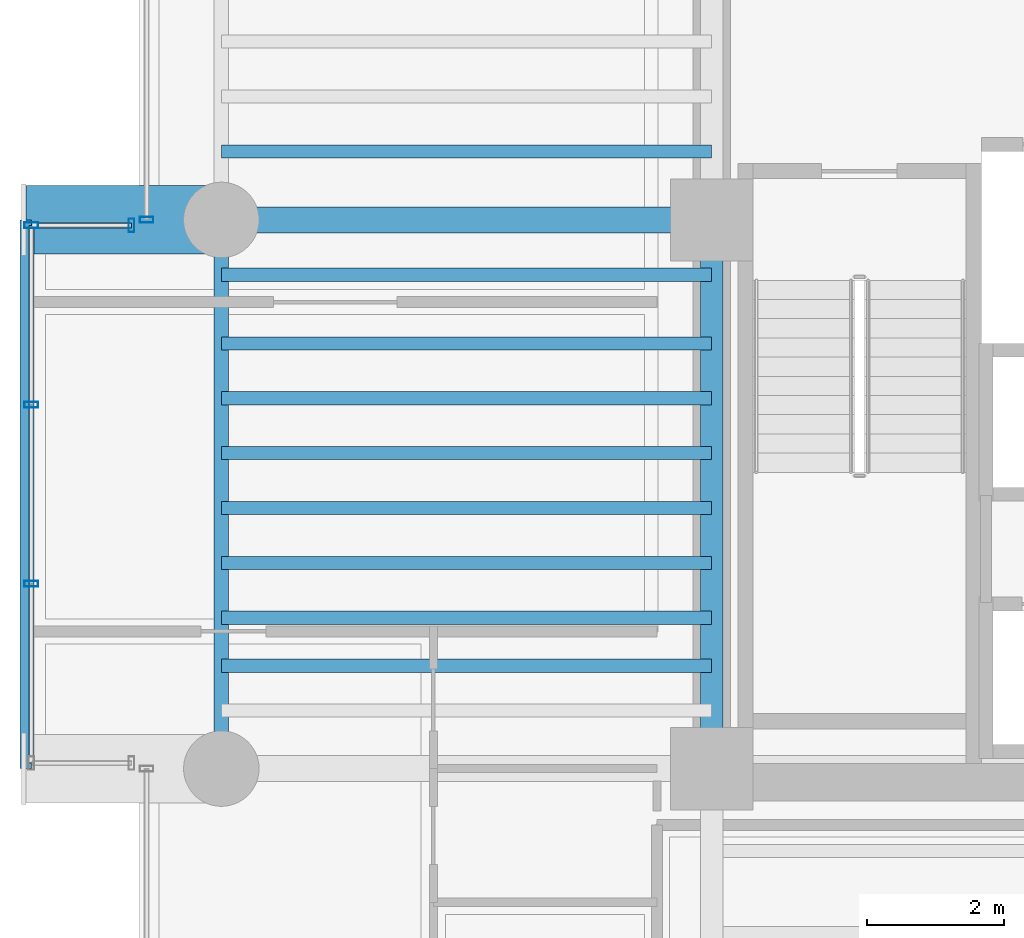
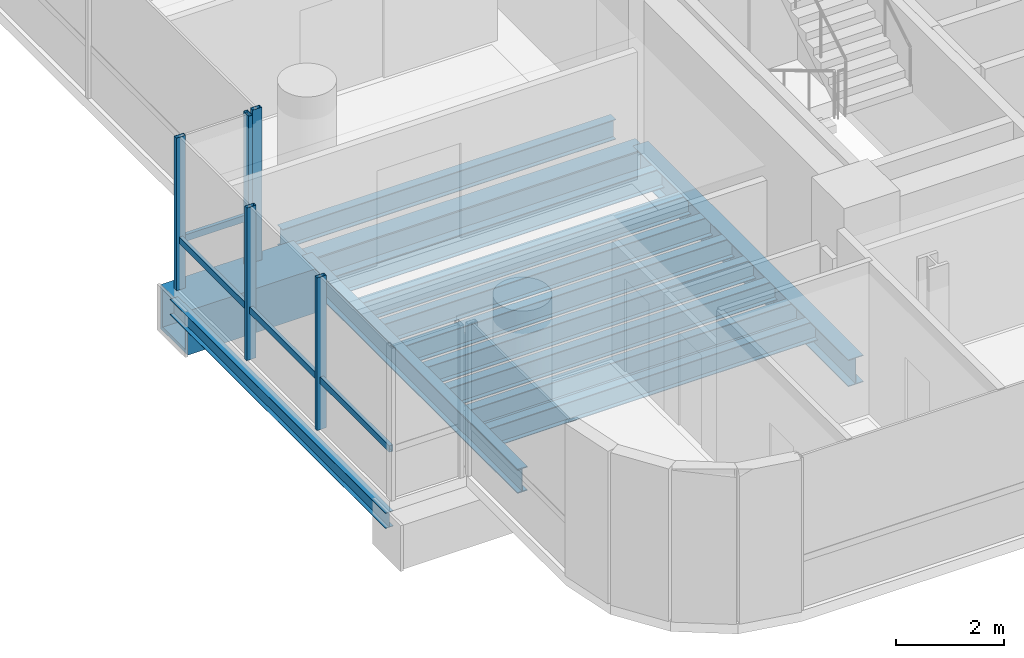
# One storey, part 4 of 34: 14 beams, 7 members, 3 elements without a shape of their own.
"""IFC4 building model written with IfcOpenShell, lengths in metres."""

import ifcopenshell
import ifcopenshell.guid

model = None  # the IFC model being written
_history = None  # IfcOwnerHistory: only IFC2X3 demands one
_inside = {}  # id of a spatial element -> (the spatial element, [elements in it])
_under = {}  # id of a project, library or spatial element -> (it, [spatial elements below it])
_declared = {}  # id of a project -> (the project, [libraries it declares])
_typed = {}  # id of a type object -> (the type object, [elements of that type])
_made_of = {}  # id of a material, layer set ... -> (it, [elements and type objects made of it])


def new_model(schema):
    """Start an empty IFC model of exactly this schema.

    Asked for "IFC4X3", IfcOpenShell would pick the latest addendum, in which some entities
    have other attributes; the version numbers below select the first issue.
    IFC2X3 requires an IfcOwnerHistory on every rooted entity: one is made here for all.
    """
    global model, _history
    if schema == "IFC4X3":
        model = ifcopenshell.file(schema_version=(4, 3, 0, 0))
    else:
        model = ifcopenshell.file(schema=schema)
    _inside.clear()
    _under.clear()
    _declared.clear()
    _typed.clear()
    _made_of.clear()
    _history = None
    if model.schema == "IFC2X3":
        org = make("IfcOrganization", Name="unknown")
        user = make(
            "IfcPersonAndOrganization",
            ThePerson=make("IfcPerson", FamilyName="unknown"),
            TheOrganization=org,
        )
        app = make(
            "IfcApplication",
            ApplicationDeveloper=org,
            Version="unknown",
            ApplicationFullName="unknown",
            ApplicationIdentifier="unknown",
        )
        _history = make(
            "IfcOwnerHistory",
            OwningUser=user,
            OwningApplication=app,
            ChangeAction="ADDED",
            CreationDate=0,
        )
    return model


def make(cls, **values):
    """One entity of the class cls with the attributes given. An attribute that is None is left unset."""
    return model.create_entity(
        cls, **{name: value for name, value in values.items() if value is not None}
    )


def rooted(cls, **values):
    """An entity with a GlobalId (a new one), such as an element, a storey or a relation."""
    return make(cls, GlobalId=ifcopenshell.guid.new(), OwnerHistory=_history, **values)


def si_unit(unit_type, name, prefix=None):
    """IfcSIUnit, for example si_unit("LENGTHUNIT", "METRE", prefix="MILLI")."""
    return make("IfcSIUnit", UnitType=unit_type, Prefix=prefix, Name=name)


def assignment(units):
    """IfcUnitAssignment: the units of a project."""
    return None if units is None else make("IfcUnitAssignment", Units=units)


def point(xyz):
    """IfcCartesianPoint."""
    return None if xyz is None else make("IfcCartesianPoint", Coordinates=xyz)


def direction(xyz):
    """IfcDirection."""
    return None if xyz is None else make("IfcDirection", DirectionRatios=xyz)


def frame(location, z_axis=None, x_axis=None):
    """IfcAxis2Placement3D, a coordinate frame: its origin and axes. An axis left out is left unset."""
    return make(
        "IfcAxis2Placement3D",
        Location=point(location),
        Axis=direction(z_axis),
        RefDirection=direction(x_axis),
    )


def frame_2d(location, x_axis=None):
    """IfcAxis2Placement2D, a coordinate frame in the plane: its origin and x axis."""
    return make(
        "IfcAxis2Placement2D", Location=point(location), RefDirection=direction(x_axis)
    )


def origin():
    """The frame at (0, 0, 0) with its axes left unset."""
    return frame((0.0, 0.0, 0.0))


def origin_2d():
    """The frame at (0, 0) in the plane with its x axis left unset."""
    return frame_2d((0.0, 0.0))


def place(relative_to, where):
    """IfcLocalPlacement: puts the frame where relative to a parent placement (None: the world)."""
    return make(
        "IfcLocalPlacement", PlacementRelTo=relative_to, RelativePlacement=where
    )


def context(
    kind, dimensions, precision=None, world=None, true_north=None, identifier=None
):
    """IfcGeometricRepresentationContext, for example the 3D "Model" context."""
    return make(
        "IfcGeometricRepresentationContext",
        ContextIdentifier=identifier,
        ContextType=kind,
        CoordinateSpaceDimension=dimensions,
        Precision=precision,
        WorldCoordinateSystem=world,
        TrueNorth=true_north,
    )


def subcontext(parent, identifier, kind, view, scale=None):
    """IfcGeometricRepresentationSubContext, for example "Body" below "Model"."""
    return make(
        "IfcGeometricRepresentationSubContext",
        ContextIdentifier=identifier,
        ContextType=kind,
        ParentContext=parent,
        TargetScale=scale,
        TargetView=view,
    )


def project(units=None, contexts=None):
    """IfcProject with its units and contexts."""
    return rooted(
        "IfcProject",
        Name="project",
        RepresentationContexts=contexts,
        UnitsInContext=assignment(units),
    )


def spatial(cls, under=None, at=None, **own):
    """A site, building, storey or space (cls), placed at a placement, below another one or the project."""
    s = rooted(cls, ObjectPlacement=at, **own)
    if under is not None:
        _under.setdefault(under.id(), (under, []))[1].append(s)
    return s


def profile(cls, at=None, kind="AREA", **sizes):
    """A parametric profile (cls). Its sizes go by their IFC names, for example OverallWidth=200.0."""
    return make(cls, ProfileType=kind, Position=at, **sizes)


def hollow_rectangle(**sizes):
    """IfcRectangleHollowProfileDef."""
    return profile("IfcRectangleHollowProfileDef", **sizes)


def i_section(**sizes):
    """IfcIShapeProfileDef."""
    return profile("IfcIShapeProfileDef", **sizes)


def extrude(swept, where, along, depth):
    """IfcExtrudedAreaSolid: the profile swept, set in the frame where, extruded along a direction by depth."""
    return make(
        "IfcExtrudedAreaSolid",
        SweptArea=swept,
        Position=where,
        ExtrudedDirection=direction(along),
        Depth=depth,
    )


def shape(context_of_items, identifier, shape_type, items):
    """IfcShapeRepresentation: the items that make up one representation, for example the "Body"."""
    return make(
        "IfcShapeRepresentation",
        ContextOfItems=context_of_items,
        RepresentationIdentifier=identifier,
        RepresentationType=shape_type,
        Items=items,
    )


def source(mapping_origin, context_of_items, identifier, shape_type, items):
    """IfcRepresentationMap: a shape defined once, which mapped items show again and again."""
    return make(
        "IfcRepresentationMap",
        MappingOrigin=mapping_origin,
        MappedRepresentation=shape(context_of_items, identifier, shape_type, items),
    )


def transform(
    local_origin,
    x_axis=None,
    y_axis=None,
    z_axis=None,
    scale=None,
    scale2=None,
    scale3=None,
    uniform=True,
):
    """IfcCartesianTransformationOperator3D, or its non-uniform kind. x_axis, y_axis, z_axis: its Axis1, 2, 3."""
    if uniform:
        return make(
            "IfcCartesianTransformationOperator3D",
            Axis1=direction(x_axis),
            Axis2=direction(y_axis),
            LocalOrigin=point(local_origin),
            Scale=scale,
            Axis3=direction(z_axis),
        )
    return make(
        "IfcCartesianTransformationOperator3DnonUniform",
        Axis1=direction(x_axis),
        Axis2=direction(y_axis),
        LocalOrigin=point(local_origin),
        Scale=scale,
        Axis3=direction(z_axis),
        Scale2=scale2,
        Scale3=scale3,
    )


def mapped(mapping_source, mapping_target):
    """IfcMappedItem: shows the shape of a source again, moved by a transform."""
    return make(
        "IfcMappedItem", MappingSource=mapping_source, MappingTarget=mapping_target
    )


def material(Name=None, Category=None):
    """IfcMaterial."""
    return make("IfcMaterial", Name=Name, Category=Category)


def material_profile(
    of_material, cross_section, Name=None, Category=None, Priority=None
):
    """IfcMaterialProfile: a cross section and its material."""
    return make(
        "IfcMaterialProfile",
        Name=Name,
        Material=of_material,
        Profile=cross_section,
        Priority=Priority,
        Category=Category,
    )


def profile_set(profiles, Name=None, composite=None):
    """IfcMaterialProfileSet."""
    return make(
        "IfcMaterialProfileSet",
        Name=Name,
        MaterialProfiles=profiles,
        CompositeProfile=composite,
    )


def made_of(thing, what):
    """Note that an element or type object is made of a material, layer set ...; save() writes the relation."""
    if what is not None:
        _made_of.setdefault(what.id(), (what, []))[1].append(thing)
    return thing


def type_object(cls, material=None, **own):
    """A type object (cls), such as IfcWallType, which elements share."""
    return made_of(rooted(cls, **own), material)


def element(
    cls,
    number,
    at=None,
    inside=None,
    cuts=None,
    type_object=None,
    material=None,
    context=None,
    identifier="Body",
    shape_type=None,
    held_by="IfcProductDefinitionShape",
    body=None,
    shapes=None,
    **own,
):
    """One element of the class cls, such as IfcWall. Its Tag is "e" and its number.

    at: its placement. inside: the storey or other place that contains it. cuts: it is an
    opening in that element (IfcRelVoidsElement). A single representation is given by context,
    identifier, shape_type and body (its items); several are given by shapes. held_by: the class
    of the entity that holds the representations. save() writes the other relations.
    """
    e = rooted(cls, Tag="e%d" % number, ObjectPlacement=at, **own)
    if body is not None:
        shapes = [shape(context, identifier, shape_type, body)]
    if shapes is not None:
        e.Representation = make(held_by, Representations=shapes)
    if inside is not None:
        _inside.setdefault(inside.id(), (inside, []))[1].append(e)
    if cuts is not None:
        rooted(
            "IfcRelVoidsElement", RelatingBuildingElement=cuts, RelatedOpeningElement=e
        )
    if type_object is not None:
        _typed.setdefault(type_object.id(), (type_object, []))[1].append(e)
    return made_of(e, material)


def aggregate(whole, parts):
    """IfcRelAggregates: a whole, such as a stair, and the parts it consists of."""
    return rooted("IfcRelAggregates", RelatingObject=whole, RelatedObjects=parts)


def save(model, path):
    """Write the relations noted so far, then the file.

    IfcRelAggregates (storeys below a building ...), IfcRelContainedInSpatialStructure (elements
    in a storey), IfcRelDefinesByType, IfcRelAssociatesMaterial and IfcRelDeclares: one each for
    every whole, place, type object, material and project.
    """
    for whole, parts in _under.values():
        aggregate(whole, parts)
    for where, things in _inside.values():
        rooted(
            "IfcRelContainedInSpatialStructure",
            RelatedElements=things,
            RelatingStructure=where,
        )
    for kind, things in _typed.values():
        rooted("IfcRelDefinesByType", RelatedObjects=things, RelatingType=kind)
    for what, things in _made_of.values():
        rooted("IfcRelAssociatesMaterial", RelatedObjects=things, RelatingMaterial=what)
    for by, libraries in _declared.values():
        rooted("IfcRelDeclares", RelatingContext=by, RelatedDefinitions=libraries)
    model.write(path)


model = new_model("IFC4")

# Units and contexts
model_context = context("Model", 3, precision=1e-05, world=origin(), true_north=direction((0.0, 1.0)))
body_context = subcontext(model_context, "Body", "Model", "MODEL_VIEW")
ifc_project = project(units=[si_unit("LENGTHUNIT", "METRE"), si_unit("AREAUNIT", "SQUARE_METRE"), si_unit("VOLUMEUNIT", "CUBIC_METRE"), si_unit("PLANEANGLEUNIT", "RADIAN"), si_unit("MASSUNIT", "GRAM", prefix="KILO")], contexts=[model_context])

# Site, building, storey
site_placement = place(None, origin())
site = spatial("IfcSite", under=ifc_project, at=site_placement, CompositionType="ELEMENT")
building_placement = place(site_placement, origin())
building = spatial("IfcBuilding", under=site, at=building_placement, Name="Valdorenza Pilgrim Sanctuary Tower", CompositionType="ELEMENT")
storey_placement = place(building_placement, frame((0.0, 0.0, 161.199951171875)))
storey = spatial("IfcBuildingStorey", under=building, at=storey_placement, Name="L41", CompositionType="ELEMENT", Elevation=161.199951171875)

# Beams
ifc_material_1 = material(Name="Steel ASTM A992 Grade 50", Category="steel")
ifc_material_profile_1 = material_profile(ifc_material_1, i_section(OverallWidth=0.214111328125, OverallDepth=0.549072265625, WebThickness=0.0146484375, FlangeThickness=0.023681640625, at=origin_2d()), Name="W21X93")
ifc_profile_set_1 = profile_set([ifc_material_profile_1], Name="Steel ASTM A992 Grade 50")
beam_type_1 = type_object("IfcBeamType", Name="STR-BM-SPN-W21A", PredefinedType="SPANDREL", material=ifc_profile_set_1)
shared_shape_1 = source(origin(), body_context, "Body", "SweptSolid", [
    extrude(i_section(OverallWidth=0.214111328125, OverallDepth=0.549072265625, WebThickness=0.0146484375, FlangeThickness=0.023681640625, at=origin_2d()), origin(), (0.0, 0.0, 1.0), 8.0),
])
beam_1_placement = place(storey_placement, frame((-29.800048828125, -10.60009765625, -0.514404296875), z_axis=(0.0, 1.0, 0.0), x_axis=(-1.0, 0.0, 0.0)))
element("IfcBeam", 1, at=beam_1_placement, inside=storey, type_object=beam_type_1, Name="L41 Spandrel Beam WA-W-S1M0", PredefinedType="SPANDREL", context=body_context, shape_type="MappedRepresentation", body=[
    mapped(shared_shape_1, transform((0.0, 0.0, 0.0), x_axis=(1.0, 0.0, 0.0), y_axis=(0.0, 1.0, 0.0), z_axis=(0.0, 0.0, 1.0), scale=1.0)),
])
ifc_material_profile_2 = material_profile(ifc_material_1, i_section(OverallWidth=0.323974609375, OverallDepth=0.611083984375, WebThickness=0.0126953125, FlangeThickness=0.01904296875, at=origin_2d()), Name="W24X104")
ifc_profile_set_2 = profile_set([ifc_material_profile_2], Name="Steel ASTM A992 Grade 50")
beam_type_2 = type_object("IfcBeamType", Name="STR-BM-GRD-W24B", PredefinedType="BEAM", material=ifc_profile_set_2)
shared_shape_2 = source(origin(), body_context, "Body", "SweptSolid", [
    extrude(i_section(OverallWidth=0.323974609375, OverallDepth=0.611083984375, WebThickness=0.0126953125, FlangeThickness=0.01904296875, at=origin_2d()), origin(), (0.0, 0.0, 1.0), 8.0),
])
beam_2_placement = place(storey_placement, frame((-22.64990234375, -10.60009765625, -0.54541015625), z_axis=(0.0, 1.0, 0.0), x_axis=(-1.0, 0.0, 0.0)))
element("IfcBeam", 2, at=beam_2_placement, inside=storey, type_object=beam_type_2, Name="L41 Core Tie Girder CA-W-S1M0", PredefinedType="BEAM", context=body_context, shape_type="MappedRepresentation", body=[
    mapped(shared_shape_2, transform((0.0, 0.0, 0.0), x_axis=(1.0, 0.0, 0.0), y_axis=(0.0, 1.0, 0.0), z_axis=(0.0, 0.0, 1.0), scale=1.0)),
])
ifc_material_profile_3 = material_profile(ifc_material_1, i_section(OverallWidth=0.1708984375, OverallDepth=0.35107421875, WebThickness=0.0068359375, FlangeThickness=0.009765625, at=origin_2d()), Name="W14X30")
ifc_profile_set_3 = profile_set([ifc_material_profile_3], Name="Steel ASTM A992 Grade 50")
beam_type_3 = type_object("IfcBeamType", Name="STR-BM-BOX-W14", PredefinedType="BEAM", material=ifc_profile_set_3)
shared_shape_3 = source(origin(), body_context, "Body", "SweptSolid", [
    extrude(i_section(OverallWidth=0.1708984375, OverallDepth=0.35107421875, WebThickness=0.0068359375, FlangeThickness=0.009765625, at=origin_2d()), origin(), (0.0, 0.0, 1.0), 8.0),
])
beam_3_placement = place(storey_placement, frame((-32.64990234375, -10.60009765625, -0.41552734375), z_axis=(0.0, 1.0, 0.0), x_axis=(-1.0, 0.0, 0.0)))
element("IfcBeam", 3, at=beam_3_placement, inside=storey, type_object=beam_type_3, Name="L41 Glass Box Edge Beam BOX-WA-L41-F", PredefinedType="BEAM", context=body_context, shape_type="MappedRepresentation", body=[
    mapped(shared_shape_3, transform((0.0, 0.0, 0.0), x_axis=(1.0, 0.0, 0.0), y_axis=(0.0, 1.0, 0.0), z_axis=(0.0, 0.0, 1.0), scale=1.0)),
])
ifc_material_profile_4 = material_profile(ifc_material_1, i_section(OverallWidth=0.382080078125, OverallDepth=0.779052734375, WebThickness=0.01806640625, FlangeThickness=0.030029296875, at=origin_2d()), Name="W30X191")
ifc_profile_set_4 = profile_set([ifc_material_profile_4], Name="Steel ASTM A992 Grade 50")
beam_type_4 = type_object("IfcBeamType", Name="STR-BM-GRD-W30", PredefinedType="BEAM", material=ifc_profile_set_4)
shared_shape_4 = source(origin(), body_context, "Body", "SweptSolid", [
    extrude(i_section(OverallWidth=0.382080078125, OverallDepth=0.779052734375, WebThickness=0.01806640625, FlangeThickness=0.030029296875, at=origin_2d()), origin(), (0.0, 0.0, 1.0), 7.150146484375),
])
beam_4_placement = place(storey_placement, frame((-29.800048828125, -2.60009765625, -0.62939453125), z_axis=(1.0, 0.0, 0.0), x_axis=(0.0, 1.0, 0.0)))
element("IfcBeam", 4, at=beam_4_placement, inside=storey, type_object=beam_type_4, Name="L41 Floor Girder WA-XW-M0", PredefinedType="BEAM", context=body_context, shape_type="MappedRepresentation", body=[
    mapped(shared_shape_4, transform((0.0, 0.0, 0.0), x_axis=(1.0, 0.0, 0.0), y_axis=(0.0, 1.0, 0.0), z_axis=(0.0, 0.0, 1.0), scale=1.0)),
])
ifc_material_profile_5 = material_profile(ifc_material_1, i_section(OverallWidth=0.19091796875, OverallDepth=0.45703125, WebThickness=0.009033203125, FlangeThickness=0.014404296875, at=origin_2d()), Name="W18X50")
ifc_profile_set_5 = profile_set([ifc_material_profile_5], Name="Steel ASTM A992 Grade 50")
beam_type_5 = type_object("IfcBeamType", Name="STR-BM-JST-W18B", PredefinedType="JOIST", material=ifc_profile_set_5)
shared_shape_5 = source(origin(), body_context, "Body", "SweptSolid", [
    extrude(i_section(OverallWidth=0.19091796875, OverallDepth=0.45703125, WebThickness=0.009033203125, FlangeThickness=0.014404296875, at=origin_2d()), origin(), (0.0, 0.0, 1.0), 7.150146484375),
])
for number, where, z_axis, x_axis, name in (
    (5, (-29.800048828125, -9.10009765625, -0.468505859375), (1.0, 0.0, 0.0), (0.0, 1.0, 0.0), "L41 Composite Floor Joist JST-WA-2"),
    (6, (-29.800048828125, -8.39990234375, -0.468505859375), (1.0, 0.0, 0.0), (0.0, 1.0, 0.0), "L41 Composite Floor Joist JST-WA-3"),
    (7, (-29.800048828125, -7.60009765625, -0.468505859375), (1.0, 0.0, 0.0), (0.0, 1.0, 0.0), "L41 Composite Floor Joist JST-WA-4"),
    (8, (-29.800048828125, -6.800048828125, -0.468505859375), (1.0, 0.0, 0.0), (0.0, 1.0, 0.0), "L41 Composite Floor Joist JST-WA-5"),
    (9, (-29.800048828125, -6.0, -0.468505859375), (1.0, 0.0, 0.0), (0.0, 1.0, 0.0), "L41 Composite Floor Joist JST-WA-6"),
    (10, (-29.800048828125, -5.199951171875, -0.468505859375), (1.0, 0.0, 0.0), (0.0, 1.0, 0.0), "L41 Composite Floor Joist JST-WA-7"),
    (11, (-29.800048828125, -4.39990234375, -0.468505859375), (1.0, 0.0, 0.0), (0.0, 1.0, 0.0), "L41 Composite Floor Joist JST-WA-8"),
    (12, (-29.800048828125, -3.39990234375, -0.468505859375), (1.0, 0.0, 0.0), (0.0, 1.0, 0.0), "L41 Composite Floor Joist JST-WA-9"),
    (13, (-29.800048828125, -1.60009765625, -0.468505859375), (1.0, 0.0, 0.0), (0.0, 1.0, 0.0), "L41 Composite Floor Joist JST-WA-10"),
):
    element("IfcBeam", number, at=place(storey_placement, frame(where, z_axis=z_axis, x_axis=x_axis)), inside=storey, type_object=beam_type_5, Name=name, PredefinedType="JOIST", context=body_context, shape_type="MappedRepresentation", body=[
        mapped(shared_shape_5, transform((0.0, 0.0, 0.0), x_axis=(1.0, 0.0, 0.0), y_axis=(0.0, 1.0, 0.0), z_axis=(0.0, 0.0, 1.0), scale=1.0)),
    ])
ifc_material_2 = material(Name="Steel ASTM A572 Grade 42", Category="steel")
ifc_material_profile_6 = material_profile(ifc_material_2, hollow_rectangle(XDim=1.0, YDim=1.0, WallThickness=0.080078125, at=origin_2d()), Name="BOX 1000x1000x80")
ifc_profile_set_6 = profile_set([ifc_material_profile_6], Name="Steel ASTM A572 Grade 42")
beam_type_6 = type_object("IfcBeamType", Name="STR-BM-PROW-CANT", PredefinedType="BEAM", material=ifc_profile_set_6)
shared_shape_6 = source(origin(), body_context, "Body", "SweptSolid", [
    extrude(hollow_rectangle(XDim=1.0, YDim=1.0, WallThickness=0.080078125, at=origin_2d()), origin(), (0.0, 0.0, 1.0), 2.849853515625),
])
beam_5_placement = place(storey_placement, frame((-29.800048828125, -2.60009765625, -0.739990234375), z_axis=(-1.0, 0.0, 0.0), x_axis=(0.0, -1.0, 0.0)))
element("IfcBeam", 14, at=beam_5_placement, inside=storey, type_object=beam_type_6, Name="L41 Glass Box Cantilever Beam BOX-WA-L41-CT-N", PredefinedType="BEAM", context=body_context, shape_type="MappedRepresentation", body=[
    mapped(shared_shape_6, transform((0.0, 0.0, 0.0), x_axis=(1.0, 0.0, 0.0), y_axis=(0.0, 1.0, 0.0), z_axis=(0.0, 0.0, 1.0), scale=1.0)),
])

# Curtain wall, member
ifc_material_3 = material(Name="Curtain-wall IGU glazing", Category="glass")
curtain_wall_type = type_object("IfcCurtainWallType", Name="CW-SYS-02", PredefinedType="NOTDEFINED", material=ifc_material_3)
curtain_wall_1_placement = place(storey_placement, origin())
curtain_wall_1 = element("IfcCurtainWall", 15, at=curtain_wall_1_placement, inside=storey, type_object=curtain_wall_type, Name="L41 Curtain Wall CW-L41-1-1S2", PredefinedType="NOTDEFINED")
ifc_material_4 = material(Name="Anodised aluminium AW-6060", Category="aluminium")
ifc_material_profile_7 = material_profile(ifc_material_4, hollow_rectangle(XDim=0.0849609375, YDim=0.199951171875, WallThickness=0.0048828125, at=origin_2d()), Name="ALU-M 200x85x5")
ifc_profile_set_7 = profile_set([ifc_material_profile_7], Name="Anodised aluminium AW-6060")
member_type_1 = type_object("IfcMemberType", Name="CW-MUL-02", PredefinedType="MULLION", material=ifc_profile_set_7)
shared_shape_7 = source(origin(), body_context, "Body", "SweptSolid", [
    extrude(hollow_rectangle(XDim=0.0849609375, YDim=0.199951171875, WallThickness=0.0048828125, at=origin_2d()), origin(), (0.0, 0.0, 1.0), 3.4599609375),
])
member_1_placement = place(storey_placement, frame((-30.889892578125, -2.60009765625, 0.0), z_axis=(0.0, 0.0, 1.0), x_axis=(0.0, 1.0, 0.0)))
member_1 = element("IfcMember", 16, at=member_1_placement, type_object=member_type_1, Name="CW-L41-1-1S2 Mullion 1", PredefinedType="MULLION", context=body_context, shape_type="MappedRepresentation", body=[
    mapped(shared_shape_7, transform((0.0, 0.0, 0.0), x_axis=(1.0, 0.0, 0.0), y_axis=(0.0, 1.0, 0.0), z_axis=(0.0, 0.0, 1.0), scale=1.0)),
])
aggregate(curtain_wall_1, [member_1])

# Curtain wall, members
curtain_wall_2_placement = place(storey_placement, origin())
curtain_wall_2 = element("IfcCurtainWall", 17, at=curtain_wall_2_placement, inside=storey, type_object=curtain_wall_type, Name="L41 Curtain Wall CW-L41-BOX-WA-L41-F", PredefinedType="NOTDEFINED")
member_2_placement = place(storey_placement, frame((-32.570068359375, -7.90673828125, 0.0), z_axis=(0.0, 0.0, 1.0), x_axis=(0.0, 1.0, 0.0)))
member_2 = element("IfcMember", 18, at=member_2_placement, type_object=member_type_1, Name="CW-L41-BOX-WA-L41-F Mullion 2", PredefinedType="MULLION", context=body_context, shape_type="MappedRepresentation", body=[
    mapped(shared_shape_7, transform((0.0, 0.0, 0.0), x_axis=(1.0, 0.0, 0.0), y_axis=(0.0, 1.0, 0.0), z_axis=(0.0, 0.0, 1.0), scale=1.0)),
])
member_3_placement = place(storey_placement, frame((-32.570068359375, -5.293212890625, 0.0), z_axis=(0.0, 0.0, 1.0), x_axis=(0.0, 1.0, 0.0)))
member_3 = element("IfcMember", 19, at=member_3_placement, type_object=member_type_1, Name="CW-L41-BOX-WA-L41-F Mullion 3", PredefinedType="MULLION", context=body_context, shape_type="MappedRepresentation", body=[
    mapped(shared_shape_7, transform((0.0, 0.0, 0.0), x_axis=(1.0, 0.0, 0.0), y_axis=(0.0, 1.0, 0.0), z_axis=(0.0, 0.0, 1.0), scale=1.0)),
])
member_4_placement = place(storey_placement, frame((-32.570068359375, -2.679931640625, 0.0), z_axis=(0.0, 0.0, 1.0), x_axis=(0.0, 1.0, 0.0)))
member_4 = element("IfcMember", 20, at=member_4_placement, type_object=member_type_1, Name="CW-L41-BOX-WA-L41-F Mullion 4", PredefinedType="MULLION", context=body_context, shape_type="MappedRepresentation", body=[
    mapped(shared_shape_7, transform((0.0, 0.0, 0.0), x_axis=(1.0, 0.0, 0.0), y_axis=(0.0, 1.0, 0.0), z_axis=(0.0, 0.0, 1.0), scale=1.0)),
])

curtain_wall_3_placement = place(storey_placement, origin())
curtain_wall_3 = element("IfcCurtainWall", 21, at=curtain_wall_3_placement, inside=storey, type_object=curtain_wall_type, Name="L41 Curtain Wall CW-L41-BOX-WA-L41-N", PredefinedType="NOTDEFINED")
member_5_placement = place(storey_placement, frame((-31.110107421875, -2.679931640625, 0.0), z_axis=(0.0, 0.0, 1.0), x_axis=(1.0, 0.0, 0.0)))
member_5 = element("IfcMember", 22, at=member_5_placement, type_object=member_type_1, Name="CW-L41-BOX-WA-L41-N Mullion 2", PredefinedType="MULLION", context=body_context, shape_type="MappedRepresentation", body=[
    mapped(shared_shape_7, transform((0.0, 0.0, 0.0), x_axis=(1.0, 0.0, 0.0), y_axis=(0.0, 1.0, 0.0), z_axis=(0.0, 0.0, 1.0), scale=1.0)),
])
ifc_material_profile_8 = material_profile(ifc_material_4, hollow_rectangle(XDim=0.074951171875, YDim=0.14990234375, WallThickness=0.00390625, at=origin_2d()), Name="ALU-T 150x75x4")
ifc_profile_set_8 = profile_set([ifc_material_profile_8], Name="Anodised aluminium AW-6060")
member_type_2 = type_object("IfcMemberType", Name="CW-TRN-02", PredefinedType="USERDEFINED", material=ifc_profile_set_8)
shared_shape_8 = source(origin(), body_context, "Body", "SweptSolid", [
    extrude(hollow_rectangle(XDim=0.074951171875, YDim=0.14990234375, WallThickness=0.00390625, at=origin_2d()), origin(), (0.0, 0.0, 1.0), 1.4599609375),
])
member_6_placement = place(storey_placement, frame((-32.570068359375, -2.679931640625, 1.1201171875), z_axis=(1.0, 0.0, 0.0), x_axis=(0.0, 1.0, 0.0)))
member_6 = element("IfcMember", 23, at=member_6_placement, type_object=member_type_2, Name="CW-L41-BOX-WA-L41-N Transom 1", ObjectType="TRANSOM", PredefinedType="USERDEFINED", context=body_context, shape_type="MappedRepresentation", body=[
    mapped(shared_shape_8, transform((0.0, 0.0, 0.0), x_axis=(1.0, 0.0, 0.0), y_axis=(0.0, 1.0, 0.0), z_axis=(0.0, 0.0, 1.0), scale=1.0)),
])
aggregate(curtain_wall_3, [member_5, member_6])

# Member
shared_shape_9 = source(origin(), body_context, "Body", "SweptSolid", [
    extrude(hollow_rectangle(XDim=0.074951171875, YDim=0.14990234375, WallThickness=0.00390625, at=origin_2d()), origin(), (0.0, 0.0, 1.0), 7.840087890625),
])
member_7_placement = place(storey_placement, frame((-32.570068359375, -10.52001953125, 1.1201171875), z_axis=(0.0, 1.0, 0.0), x_axis=(-1.0, 0.0, 0.0)))
member_7 = element("IfcMember", 24, at=member_7_placement, type_object=member_type_2, Name="CW-L41-BOX-WA-L41-F Transom 1", ObjectType="TRANSOM", PredefinedType="USERDEFINED", context=body_context, shape_type="MappedRepresentation", body=[
    mapped(shared_shape_9, transform((0.0, 0.0, 0.0), x_axis=(1.0, 0.0, 0.0), y_axis=(0.0, 1.0, 0.0), z_axis=(0.0, 0.0, 1.0), scale=1.0)),
])

aggregate(curtain_wall_2, [member_2, member_3, member_4, member_7])

save(model, "model.ifc")
